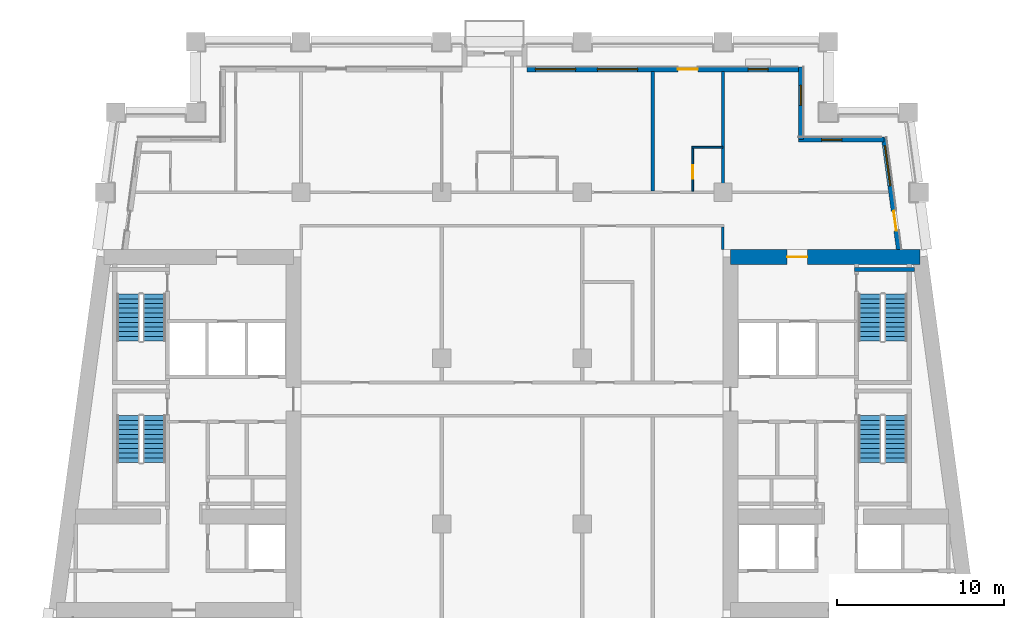
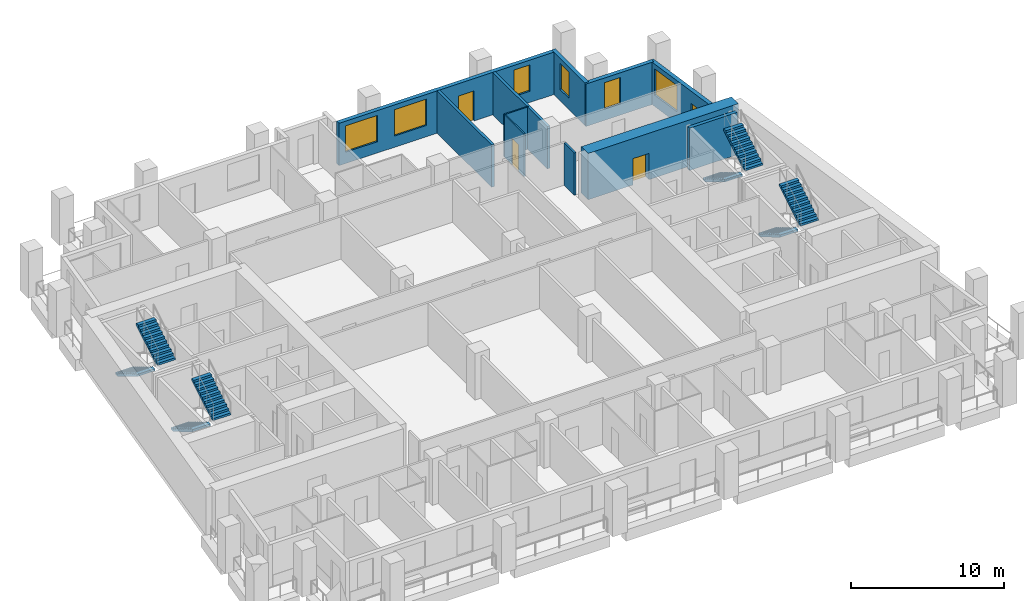
# One storey, part 7 of 12: 11 walls, 8 stair flights, 6 windows, 4 doors, 10 openings, 4 elements without a shape of their own.
"""IFC4 building model written with IfcOpenShell, lengths in metres."""

from ifc_helpers import new_model, si_unit, direction, frame, frame_2d, origin, place, context, subcontext, project, spatial, polyline, rectangle, outline, extrude, material, layer, layer_set, type_object, element, fill, aggregate, save


model = new_model("IFC4")

# Units and contexts
model_context = context("Model", 3, precision=1e-05, world=origin(), true_north=direction((0.0, 1.0)))
body_context = subcontext(model_context, "Body", "Model", "MODEL_VIEW")
ifc_project = project(units=[si_unit("LENGTHUNIT", "METRE"), si_unit("AREAUNIT", "SQUARE_METRE"), si_unit("VOLUMEUNIT", "CUBIC_METRE"), si_unit("PLANEANGLEUNIT", "RADIAN"), si_unit("MASSUNIT", "GRAM", prefix="KILO")], contexts=[model_context])

# Site, building, storey
site_placement = place(None, origin())
site = spatial("IfcSite", under=ifc_project, at=site_placement, CompositionType="ELEMENT")
building_placement = place(site_placement, origin())
building = spatial("IfcBuilding", under=site, at=building_placement, Name="Candeia Pilgrim Tower and Theatre", CompositionType="ELEMENT")
storey_placement = place(building_placement, frame((0.0, 0.0, 147.800048828125)))
storey = spatial("IfcBuildingStorey", under=building, at=storey_placement, Name="L34", CompositionType="ELEMENT", Elevation=147.800048828125)

# Wall, opening, door
ifc_material_1 = material(Name="Concrete C60/75", Category="concrete")
ifc_layer_1 = layer(ifc_material_1, 0.89990234375)
ifc_layer_set_1 = layer_set([ifc_layer_1], Name="Core wall 900 C60/75")
wall_type_1 = type_object("IfcWallType", Name="Core wall 900 C60/75", PredefinedType="SHEAR", material=ifc_layer_set_1)
wall_1_placement = place(storey_placement, frame((126.449951171875, 131.949951171875, 0.0), z_axis=(0.0, 0.0, 1.0), x_axis=(1.0, 0.0, 0.0)))
wall_1 = element("IfcWall", 1, at=wall_1_placement, inside=storey, type_object=wall_type_1, Name="Core wall E1", PredefinedType="SHEAR", context=body_context, shape_type="SweptSolid", body=[
    extrude(rectangle(XDim=11.32568359375, YDim=0.89990234375, at=frame_2d((5.662841796875, 0.0))), origin(), (0.0, 0.0, 1.0), 3.699951171875),
])
opening_1_placement = place(wall_1_placement, frame((3.386474609375, 0.0, 0.0)))
opening_1 = element("IfcOpeningElement", 2, at=opening_1_placement, cuts=wall_1, Name="Opening L34-D059", PredefinedType="OPENING", context=body_context, shape_type="SweptSolid", body=[
    extrude(rectangle(XDim=1.199951171875, YDim=2.10009765625, at=frame_2d((0.60009765625, 1.050048828125))), frame((0.0, 0.4599609375, 0.0), z_axis=(0.0, -1.0, 0.0), x_axis=(1.0, 0.0, 0.0)), (0.0, 0.0, 1.0), 0.919921875),
])
ifc_material_2 = material(Name="Steel fire door set", Category="steel")
door_type_1 = type_object("IfcDoorType", Name="D-1200-FD60", OperationType="NOTDEFINED", PredefinedType="DOOR", material=ifc_material_2)
door_1_placement = place(opening_1_placement, origin())
door_1 = element("IfcDoor", 3, at=door_1_placement, inside=storey, type_object=door_type_1, Name="Door L34-D059", OperationType="SINGLE_SWING_LEFT", OverallHeight=2.10009765625, OverallWidth=1.199951171875, PredefinedType="DOOR", context=body_context, shape_type="SweptSolid", body=[
    extrude(rectangle(XDim=1.199951171875, YDim=2.10009765625, at=frame_2d((0.60009765625, 1.050048828125))), frame((0.0, 0.02490234375, 0.0), z_axis=(0.0, -1.0, 0.0), x_axis=(1.0, 0.0, 0.0)), (0.0, 0.0, 1.0), 0.050048828125),
])
fill(opening_1, door_1)

# Wall, openings, door, window
ifc_material_3 = material(Name="Ceramic block masonry", Category="masonry")
ifc_layer_2 = layer(ifc_material_3, 0.300048828125)
ifc_layer_set_2 = layer_set([ifc_layer_2], Name="EW1 glazing-line wall 300")
wall_type_2 = type_object("IfcWallType", Name="EW1 glazing-line wall 300", PredefinedType="SOLIDWALL", material=ifc_layer_set_2)
wall_2_placement = place(storey_placement, frame((136.50439453125, 132.39990234375, 0.0), z_axis=(0.0, 0.0, 1.0), x_axis=(-0.133399697462, 0.99106231929, 0.0)))
wall_2 = element("IfcWall", 4, at=wall_2_placement, inside=storey, type_object=wall_type_2, Name="External wall L34-3.1", PredefinedType="SOLIDWALL", context=body_context, shape_type="SweptSolid", body=[
    extrude(rectangle(XDim=6.740478515625, YDim=0.300048828125, at=frame_2d((3.3701171875, 0.0))), origin(), (0.0, 0.0, 1.0), 3.3798828125),
])
opening_2_placement = place(wall_2_placement, frame((1.115234375, 0.0, 0.0)))
opening_2 = element("IfcOpeningElement", 5, at=opening_2_placement, cuts=wall_2, Name="Opening L34-ED328", PredefinedType="OPENING", context=body_context, shape_type="SweptSolid", body=[
    extrude(rectangle(XDim=1.199951171875, YDim=2.39990234375, at=frame_2d((0.60009765625, 1.199951171875))), frame((0.0, 0.16015625, 0.0), z_axis=(0.0, -1.0, 0.0), x_axis=(1.0, 0.0, 0.0)), (0.0, 0.0, 1.0), 0.320068359375),
])
opening_3_placement = place(wall_2_placement, frame((3.83544921875, 0.0, 0.89990234375)))
opening_3 = element("IfcOpeningElement", 6, at=opening_3_placement, cuts=wall_2, Name="Opening W-A", PredefinedType="OPENING", context=body_context, shape_type="SweptSolid", body=[
    extrude(rectangle(XDim=2.39990234375, YDim=2.10009765625, at=frame_2d((1.199951171875, 1.050048828125))), frame((0.0, 0.16015625, 0.0), z_axis=(0.0, -1.0, 0.0), x_axis=(1.0, 0.0, 0.0)), (0.0, 0.0, 1.0), 0.320068359375),
])
ifc_material_4 = material(Name="Aluminium framed glazed door", Category="aluminium")
door_type_2 = type_object("IfcDoorType", Name="Loggia door 1200x2400", OperationType="DOUBLE_DOOR_SINGLE_SWING", PredefinedType="DOOR", material=ifc_material_4)
door_2_placement = place(opening_2_placement, origin())
door_2 = element("IfcDoor", 7, at=door_2_placement, inside=storey, type_object=door_type_2, Name="Loggia door L34-ED328", OperationType="DOUBLE_DOOR_SINGLE_SWING", OverallHeight=2.39990234375, OverallWidth=1.199951171875, PredefinedType="DOOR", context=body_context, shape_type="SweptSolid", body=[
    extrude(rectangle(XDim=1.199951171875, YDim=2.39990234375, at=frame_2d((0.60009765625, 1.199951171875))), frame((0.0, 0.02490234375, 0.0), z_axis=(0.0, -1.0, 0.0), x_axis=(1.0, 0.0, 0.0)), (0.0, 0.0, 1.0), 0.050048828125),
])
fill(opening_2, door_2)
ifc_material_5 = material(Name="Aluminium framed double glazing", Category="aluminium")
window_type_1 = type_object("IfcWindowType", Name="W-A window 2400x2100", PartitioningType="DOUBLE_PANEL_VERTICAL", PredefinedType="WINDOW", material=ifc_material_5)
window_1_placement = place(opening_3_placement, origin())
window_1 = element("IfcWindow", 8, at=window_1_placement, inside=storey, type_object=window_type_1, Name="Window W-A L34", OverallHeight=2.10009765625, OverallWidth=2.39990234375, PartitioningType="SINGLE_PANEL", PredefinedType="WINDOW", context=body_context, shape_type="SweptSolid", body=[
    extrude(rectangle(XDim=2.39990234375, YDim=2.10009765625, at=frame_2d((1.199951171875, 1.050048828125))), frame((0.0, 0.030029296875, 0.0), z_axis=(0.0, -1.0, 0.0), x_axis=(1.0, 0.0, 0.0)), (0.0, 0.0, 1.0), 0.06005859375),
])
fill(opening_3, window_1)

# Wall, opening, window
wall_3_placement = place(storey_placement, frame((135.62255859375, 138.949951171875, 0.0), z_axis=(0.0, 0.0, 1.0), x_axis=(-1.0, 0.0, 0.0)))
wall_3 = element("IfcWall", 9, at=wall_3_placement, inside=storey, type_object=wall_type_2, Name="External wall L34-4.0", PredefinedType="SOLIDWALL", context=body_context, shape_type="SweptSolid", body=[
    extrude(rectangle(XDim=5.12255859375, YDim=0.300048828125, at=frame_2d((2.561279296875, 0.0))), origin(), (0.0, 0.0, 1.0), 3.3798828125),
])
opening_4_placement = place(wall_3_placement, frame((2.522705078125, 0.0, 0.89990234375)))
opening_4 = element("IfcOpeningElement", 10, at=opening_4_placement, cuts=wall_3, Name="Opening W-B", PredefinedType="OPENING", context=body_context, shape_type="SweptSolid", body=[
    extrude(rectangle(XDim=1.199951171875, YDim=2.10009765625, at=frame_2d((0.60009765625, 1.050048828125))), frame((0.0, 0.16015625, 0.0), z_axis=(0.0, -1.0, 0.0), x_axis=(1.0, 0.0, 0.0)), (0.0, 0.0, 1.0), 0.320068359375),
])
window_type_2 = type_object("IfcWindowType", Name="W-B window 1200x2100", PartitioningType="SINGLE_PANEL", PredefinedType="WINDOW", material=ifc_material_5)
window_2_placement = place(opening_4_placement, origin())
window_2 = element("IfcWindow", 11, at=window_2_placement, inside=storey, type_object=window_type_2, Name="Window W-B L34", OverallHeight=2.10009765625, OverallWidth=1.199951171875, PartitioningType="SINGLE_PANEL", PredefinedType="WINDOW", context=body_context, shape_type="SweptSolid", body=[
    extrude(rectangle(XDim=1.199951171875, YDim=2.10009765625, at=frame_2d((0.60009765625, 1.050048828125))), frame((0.0, 0.030029296875, 0.0), z_axis=(0.0, -1.0, 0.0), x_axis=(1.0, 0.0, 0.0)), (0.0, 0.0, 1.0), 0.06005859375),
])
fill(opening_4, window_2)

wall_4_placement = place(storey_placement, frame((130.64990234375, 138.949951171875, 0.0), z_axis=(0.0, 0.0, 1.0), x_axis=(0.0, 1.0, 0.0)))
wall_4 = element("IfcWall", 12, at=wall_4_placement, inside=storey, type_object=wall_type_2, Name="External wall L34-5.0", PredefinedType="SOLIDWALL", context=body_context, shape_type="SweptSolid", body=[
    extrude(rectangle(XDim=4.35009765625, YDim=0.300048828125, at=frame_2d((2.175048828125, 0.0))), origin(), (0.0, 0.0, 1.0), 3.3798828125),
])
opening_5_placement = place(wall_4_placement, frame((2.050048828125, 0.0, 0.89990234375)))
opening_5 = element("IfcOpeningElement", 13, at=opening_5_placement, cuts=wall_4, Name="Opening W-B", PredefinedType="OPENING", context=body_context, shape_type="SweptSolid", body=[
    extrude(rectangle(XDim=1.199951171875, YDim=2.10009765625, at=frame_2d((0.60009765625, 1.050048828125))), frame((0.0, 0.16015625, 0.0), z_axis=(0.0, -1.0, 0.0), x_axis=(1.0, 0.0, 0.0)), (0.0, 0.0, 1.0), 0.320068359375),
])
window_3_placement = place(opening_5_placement, origin())
window_3 = element("IfcWindow", 14, at=window_3_placement, inside=storey, type_object=window_type_2, Name="Window W-B L34", OverallHeight=2.10009765625, OverallWidth=1.199951171875, PartitioningType="SINGLE_PANEL", PredefinedType="WINDOW", context=body_context, shape_type="SweptSolid", body=[
    extrude(rectangle(XDim=1.199951171875, YDim=2.10009765625, at=frame_2d((0.60009765625, 1.050048828125))), frame((0.0, 0.030029296875, 0.0), z_axis=(0.0, -1.0, 0.0), x_axis=(1.0, 0.0, 0.0)), (0.0, 0.0, 1.0), 0.06005859375),
])
fill(opening_5, window_3)

# Wall, openings, door, windows
wall_5_placement = place(storey_placement, frame((130.64990234375, 143.14990234375, 0.0), z_axis=(0.0, 0.0, 1.0), x_axis=(-1.0, 0.0, 0.0)))
wall_5 = element("IfcWall", 15, at=wall_5_placement, inside=storey, type_object=wall_type_2, Name="External wall L34-6.0", PredefinedType="SOLIDWALL", context=body_context, shape_type="SweptSolid", body=[
    extrude(rectangle(XDim=16.349853515625, YDim=0.300048828125, at=frame_2d((8.1748046875, 0.0))), origin(), (0.0, 0.0, 1.0), 3.3798828125),
])
opening_6_placement = place(wall_5_placement, frame((1.949951171875, 0.0, 0.89990234375)))
opening_6 = element("IfcOpeningElement", 16, at=opening_6_placement, cuts=wall_5, Name="Opening W-B", PredefinedType="OPENING", context=body_context, shape_type="SweptSolid", body=[
    extrude(rectangle(XDim=1.199951171875, YDim=2.10009765625, at=frame_2d((0.60009765625, 1.050048828125))), frame((0.0, 0.16015625, 0.0), z_axis=(0.0, -1.0, 0.0), x_axis=(1.0, 0.0, 0.0)), (0.0, 0.0, 1.0), 0.320068359375),
])
opening_7_placement = place(wall_5_placement, frame((6.14990234375, 0.0, 0.0)))
opening_7 = element("IfcOpeningElement", 17, at=opening_7_placement, cuts=wall_5, Name="Opening L34-ED329", PredefinedType="OPENING", context=body_context, shape_type="SweptSolid", body=[
    extrude(rectangle(XDim=1.199951171875, YDim=2.39990234375, at=frame_2d((0.60009765625, 1.199951171875))), frame((0.0, 0.16015625, 0.0), z_axis=(0.0, -1.0, 0.0), x_axis=(1.0, 0.0, 0.0)), (0.0, 0.0, 1.0), 0.320068359375),
])
opening_8_placement = place(wall_5_placement, frame((9.75, 0.0, 0.89990234375)))
opening_8 = element("IfcOpeningElement", 18, at=opening_8_placement, cuts=wall_5, Name="Opening W-A", PredefinedType="OPENING", context=body_context, shape_type="SweptSolid", body=[
    extrude(rectangle(XDim=2.39990234375, YDim=2.10009765625, at=frame_2d((1.199951171875, 1.050048828125))), frame((0.0, 0.16015625, 0.0), z_axis=(0.0, -1.0, 0.0), x_axis=(1.0, 0.0, 0.0)), (0.0, 0.0, 1.0), 0.320068359375),
])
opening_9_placement = place(wall_5_placement, frame((13.449951171875, 0.0, 0.89990234375)))
opening_9 = element("IfcOpeningElement", 19, at=opening_9_placement, cuts=wall_5, Name="Opening W-A", PredefinedType="OPENING", context=body_context, shape_type="SweptSolid", body=[
    extrude(rectangle(XDim=2.39990234375, YDim=2.10009765625, at=frame_2d((1.199951171875, 1.050048828125))), frame((0.0, 0.16015625, 0.0), z_axis=(0.0, -1.0, 0.0), x_axis=(1.0, 0.0, 0.0)), (0.0, 0.0, 1.0), 0.320068359375),
])
door_3_placement = place(opening_7_placement, origin())
door_3 = element("IfcDoor", 20, at=door_3_placement, inside=storey, type_object=door_type_2, Name="Loggia door L34-ED329", OperationType="DOUBLE_DOOR_SINGLE_SWING", OverallHeight=2.39990234375, OverallWidth=1.199951171875, PredefinedType="DOOR", context=body_context, shape_type="SweptSolid", body=[
    extrude(rectangle(XDim=1.199951171875, YDim=2.39990234375, at=frame_2d((0.60009765625, 1.199951171875))), frame((0.0, 0.02490234375, 0.0), z_axis=(0.0, -1.0, 0.0), x_axis=(1.0, 0.0, 0.0)), (0.0, 0.0, 1.0), 0.050048828125),
])
fill(opening_7, door_3)
window_4_placement = place(opening_8_placement, origin())
window_4 = element("IfcWindow", 21, at=window_4_placement, inside=storey, type_object=window_type_1, Name="Window W-A L34", OverallHeight=2.10009765625, OverallWidth=2.39990234375, PartitioningType="SINGLE_PANEL", PredefinedType="WINDOW", context=body_context, shape_type="SweptSolid", body=[
    extrude(rectangle(XDim=2.39990234375, YDim=2.10009765625, at=frame_2d((1.199951171875, 1.050048828125))), frame((0.0, 0.030029296875, 0.0), z_axis=(0.0, -1.0, 0.0), x_axis=(1.0, 0.0, 0.0)), (0.0, 0.0, 1.0), 0.06005859375),
])
fill(opening_8, window_4)
window_5_placement = place(opening_9_placement, origin())
window_5 = element("IfcWindow", 22, at=window_5_placement, inside=storey, type_object=window_type_1, Name="Window W-A L34", OverallHeight=2.10009765625, OverallWidth=2.39990234375, PartitioningType="SINGLE_PANEL", PredefinedType="WINDOW", context=body_context, shape_type="SweptSolid", body=[
    extrude(rectangle(XDim=2.39990234375, YDim=2.10009765625, at=frame_2d((1.199951171875, 1.050048828125))), frame((0.0, 0.030029296875, 0.0), z_axis=(0.0, -1.0, 0.0), x_axis=(1.0, 0.0, 0.0)), (0.0, 0.0, 1.0), 0.06005859375),
])
fill(opening_9, window_5)
window_6_placement = place(opening_6_placement, origin())
window_6 = element("IfcWindow", 23, at=window_6_placement, inside=storey, type_object=window_type_2, Name="Window W-B L34", OverallHeight=2.10009765625, OverallWidth=1.199951171875, PartitioningType="SINGLE_PANEL", PredefinedType="WINDOW", context=body_context, shape_type="SweptSolid", body=[
    extrude(rectangle(XDim=1.199951171875, YDim=2.10009765625, at=frame_2d((0.60009765625, 1.050048828125))), frame((0.0, 0.030029296875, 0.0), z_axis=(0.0, -1.0, 0.0), x_axis=(1.0, 0.0, 0.0)), (0.0, 0.0, 1.0), 0.06005859375),
])
fill(opening_6, window_6)

# Wall
ifc_material_6 = material(Name="Gypsum board partition on steel studs", Category="steel")
ifc_layer_3 = layer(ifc_material_6, 0.10009765625)
ifc_layer_set_3 = layer_set([ifc_layer_3], Name="PW-100 room partition")
wall_type_3 = type_object("IfcWallType", Name="PW-100 room partition", PredefinedType="PARTITIONING", material=ifc_layer_set_3)
wall_6_placement = place(storey_placement, frame((124.14990234375, 138.5, 0.0), z_axis=(0.0, 0.0, 1.0), x_axis=(1.0, 0.0, 0.0)))
element("IfcWall", 24, at=wall_6_placement, inside=storey, type_object=wall_type_3, Name="Room partition L34-046", PredefinedType="PARTITIONING", context=body_context, shape_type="SweptSolid", body=[
    extrude(rectangle(XDim=1.85009765625, YDim=0.10009765625, at=frame_2d((0.925048828125, 0.0))), origin(), (0.0, 0.0, 1.0), 3.3798828125),
])

# Wall, opening, door
wall_7_placement = place(storey_placement, frame((124.199951171875, 135.875, 0.0), z_axis=(0.0, 0.0, 1.0), x_axis=(0.0, 1.0, 0.0)))
wall_7 = element("IfcWall", 25, at=wall_7_placement, inside=storey, type_object=wall_type_3, Name="Room partition L34-095", PredefinedType="PARTITIONING", context=body_context, shape_type="SweptSolid", body=[
    extrude(rectangle(XDim=2.574951171875, YDim=0.10009765625, at=frame_2d((1.28759765625, 0.0))), origin(), (0.0, 0.0, 1.0), 3.3798828125),
])
opening_10_placement = place(wall_7_placement, frame((0.7548828125, 0.0, 0.0)))
opening_10 = element("IfcOpeningElement", 26, at=opening_10_placement, cuts=wall_7, Name="Opening L34-D044", PredefinedType="OPENING", context=body_context, shape_type="SweptSolid", body=[
    extrude(rectangle(XDim=0.800048828125, YDim=2.10009765625, at=frame_2d((0.39990234375, 1.050048828125))), frame((0.0, 0.06005859375, 0.0), z_axis=(0.0, -1.0, 0.0), x_axis=(1.0, 0.0, 0.0)), (0.0, 0.0, 1.0), 0.1201171875),
])
ifc_material_7 = material(Name="Timber door leaf", Category="wood")
door_type_3 = type_object("IfcDoorType", Name="D-800", OperationType="NOTDEFINED", PredefinedType="DOOR", material=ifc_material_7)
door_4_placement = place(opening_10_placement, origin())
door_4 = element("IfcDoor", 27, at=door_4_placement, inside=storey, type_object=door_type_3, Name="Door L34-D044", OperationType="SINGLE_SWING_RIGHT", OverallHeight=2.10009765625, OverallWidth=0.800048828125, PredefinedType="DOOR", context=body_context, shape_type="SweptSolid", body=[
    extrude(rectangle(XDim=0.800048828125, YDim=2.10009765625, at=frame_2d((0.39990234375, 1.050048828125))), frame((0.0, 0.02490234375, 0.0), z_axis=(0.0, -1.0, 0.0), x_axis=(1.0, 0.0, 0.0)), (0.0, 0.0, 1.0), 0.050048828125),
])
fill(opening_10, door_4)

# Walls
ifc_layer_4 = layer(ifc_material_6, 0.14990234375)
ifc_layer_set_4 = layer_set([ifc_layer_4], Name="PW-150 unit wall")
wall_type_4 = type_object("IfcWallType", Name="PW-150 unit wall", PredefinedType="PARTITIONING", material=ifc_layer_set_4)
wall_8_placement = place(storey_placement, frame((126.0, 132.39990234375, 0.0), z_axis=(0.0, 0.0, 1.0), x_axis=(0.0, 1.0, 0.0)))
element("IfcWall", 28, at=wall_8_placement, inside=storey, type_object=wall_type_4, Name="Unit wall L34-098", PredefinedType="PARTITIONING", context=body_context, shape_type="SweptSolid", body=[
    extrude(rectangle(XDim=1.3251953125, YDim=0.14990234375, at=frame_2d((0.66259765625, 0.0))), origin(), (0.0, 0.0, 1.0), 3.3798828125),
])
ifc_layer_5 = layer(ifc_material_6, 0.199951171875)
ifc_layer_set_5 = layer_set([ifc_layer_5], Name="PW-200 party wall")
wall_type_5 = type_object("IfcWallType", Name="PW-200 party wall", PredefinedType="PARTITIONING", material=ifc_layer_set_5)
for number, where, z_axis, x_axis, name in (
    (29, (121.800048828125, 135.875, 0.0), (0.0, 0.0, 1.0), (0.0, 1.0, 0.0), "Party wall L34-094"),
    (30, (126.0, 135.875, 0.0), (0.0, 0.0, 1.0), (0.0, 1.0, 0.0), "Party wall L34-096"),
):
    element("IfcWall", number, at=place(storey_placement, frame(where, z_axis=z_axis, x_axis=x_axis)), inside=storey, type_object=wall_type_5, Name=name, PredefinedType="PARTITIONING", context=body_context, shape_type="SweptSolid", body=[
        extrude(rectangle(XDim=7.135009765625, YDim=0.199951171875, at=frame_2d((3.5673828125, 0.0))), origin(), (0.0, 0.0, 1.0), 3.3798828125),
    ])
ifc_material_8 = material(Name="Concrete C40/50", Category="concrete")
ifc_layer_6 = layer(ifc_material_8, 0.25)
ifc_layer_set_6 = layer_set([ifc_layer_6], Name="SW-250 stair wall")
wall_type_6 = type_object("IfcWallType", Name="SW-250 stair wall", PredefinedType="PARTITIONING", material=ifc_layer_set_6)
wall_9_placement = place(storey_placement, frame((133.847900390625, 131.199951171875, 0.0), z_axis=(0.0, 0.0, 1.0), x_axis=(1.0, 0.0, 0.0)))
element("IfcWall", 31, at=wall_9_placement, inside=storey, type_object=wall_type_6, Name="Stair wall L34-040", PredefinedType="PARTITIONING", context=body_context, shape_type="SweptSolid", body=[
    extrude(rectangle(XDim=3.604736328125, YDim=0.25, at=frame_2d((1.80224609375, 0.0))), origin(), (0.0, 0.0, 1.0), 3.3798828125),
])

# Stair, stair flights
stair_type = type_object("IfcStairType", Name="ST-TWR dog-leg escape stair", PredefinedType="HALF_TURN_STAIR", material=ifc_material_8)
stair_1_placement = place(storey_placement, origin())
stair_1 = element("IfcStair", 32, at=stair_1_placement, inside=storey, type_object=stair_type, Name="L34 Escape stair ST1", PredefinedType="HALF_TURN_STAIR")
stair_flight_type = type_object("IfcStairFlightType", Name="SFL-RC stair flight", PredefinedType="STRAIGHT", material=ifc_material_8)
stair_flight_1_placement = place(storey_placement, frame((90.47705078125, 122.47509765625, 0.0), z_axis=(0.0, 0.0, 1.0), x_axis=(0.0, -1.0, 0.0)))
stair_flight_1 = element("IfcStairFlight", 33, at=stair_flight_1_placement, type_object=stair_flight_type, Name="ST1 flight 1", NumberOfRisers=11, NumberOfTreads=10, PredefinedType="STRAIGHT", RiserHeight=0.168181818, TreadLength=0.28, context=body_context, shape_type="SweptSolid", body=[
    extrude(outline(polyline([(0.0, 0.0), (0.0, 0.168212890625), (0.280029296875, 0.168212890625), (0.280029296875, 0.33642578125), (0.56005859375, 0.33642578125), (0.56005859375, 0.504638671875), (0.840087890625, 0.504638671875), (0.840087890625, 0.672607421875), (1.1201171875, 0.672607421875), (1.1201171875, 0.8408203125), (1.39990234375, 0.8408203125), (1.39990234375, 1.009033203125), (1.679931640625, 1.009033203125), (1.679931640625, 1.17724609375), (1.9599609375, 1.17724609375), (1.9599609375, 1.345458984375), (2.239990234375, 1.345458984375), (2.239990234375, 1.513671875), (2.52001953125, 1.513671875), (2.52001953125, 1.681884765625), (2.800048828125, 1.681884765625), (2.800048828125, 1.85009765625), (2.800048828125, 1.5068359375), (0.291015625, 0.0), (0.0, 0.0)])), frame((0.0, 0.675048828125, 0.0), z_axis=(0.0, -1.0, 0.0), x_axis=(1.0, 0.0, 0.0)), (0.0, 0.0, 1.0), 1.35009765625),
])
stair_flight_2_placement = place(storey_placement, frame((92.027099609375, 119.675048828125, 1.849853515625), z_axis=(0.0, 0.0, 1.0), x_axis=(0.0, 1.0, 0.0)))
stair_flight_2 = element("IfcStairFlight", 34, at=stair_flight_2_placement, type_object=stair_flight_type, Name="ST1 flight 2", NumberOfRisers=11, NumberOfTreads=10, PredefinedType="STRAIGHT", RiserHeight=0.168181818, TreadLength=0.28, context=body_context, shape_type="SweptSolid", body=[
    extrude(outline(polyline([(0.0, 0.0), (0.0, 0.168212890625), (0.280029296875, 0.168212890625), (0.280029296875, 0.33642578125), (0.56005859375, 0.33642578125), (0.56005859375, 0.504638671875), (0.840087890625, 0.504638671875), (0.840087890625, 0.672607421875), (1.1201171875, 0.672607421875), (1.1201171875, 0.8408203125), (1.39990234375, 0.8408203125), (1.39990234375, 1.009033203125), (1.679931640625, 1.009033203125), (1.679931640625, 1.17724609375), (1.9599609375, 1.17724609375), (1.9599609375, 1.345458984375), (2.239990234375, 1.345458984375), (2.239990234375, 1.513671875), (2.52001953125, 1.513671875), (2.52001953125, 1.681884765625), (2.800048828125, 1.681884765625), (2.800048828125, 1.85009765625), (2.800048828125, 1.5068359375), (0.291015625, 0.0), (0.0, 0.0)])), frame((0.0, 0.675048828125, 0.0), z_axis=(0.0, -1.0, 0.0), x_axis=(1.0, 0.0, 0.0)), (0.0, 0.0, 1.0), 1.35009765625),
])
aggregate(stair_1, [stair_flight_1, stair_flight_2])

stair_2_placement = place(storey_placement, origin())
stair_2 = element("IfcStair", 35, at=stair_2_placement, inside=storey, type_object=stair_type, Name="L34 Escape stair ST2", PredefinedType="HALF_TURN_STAIR")
stair_flight_3_placement = place(storey_placement, frame((90.47705078125, 129.72509765625, 0.0), z_axis=(0.0, 0.0, 1.0), x_axis=(0.0, -1.0, 0.0)))
stair_flight_3 = element("IfcStairFlight", 36, at=stair_flight_3_placement, type_object=stair_flight_type, Name="ST2 flight 1", NumberOfRisers=11, NumberOfTreads=10, PredefinedType="STRAIGHT", RiserHeight=0.168181818, TreadLength=0.28, context=body_context, shape_type="SweptSolid", body=[
    extrude(outline(polyline([(0.0, 0.0), (0.0, 0.168212890625), (0.280029296875, 0.168212890625), (0.280029296875, 0.33642578125), (0.56005859375, 0.33642578125), (0.56005859375, 0.504638671875), (0.840087890625, 0.504638671875), (0.840087890625, 0.672607421875), (1.1201171875, 0.672607421875), (1.1201171875, 0.8408203125), (1.39990234375, 0.8408203125), (1.39990234375, 1.009033203125), (1.679931640625, 1.009033203125), (1.679931640625, 1.17724609375), (1.9599609375, 1.17724609375), (1.9599609375, 1.345458984375), (2.239990234375, 1.345458984375), (2.239990234375, 1.513671875), (2.52001953125, 1.513671875), (2.52001953125, 1.681884765625), (2.800048828125, 1.681884765625), (2.800048828125, 1.85009765625), (2.800048828125, 1.5068359375), (0.291015625, 0.0), (0.0, 0.0)])), frame((0.0, 0.675048828125, 0.0), z_axis=(0.0, -1.0, 0.0), x_axis=(1.0, 0.0, 0.0)), (0.0, 0.0, 1.0), 1.35009765625),
])
stair_flight_4_placement = place(storey_placement, frame((92.027099609375, 126.925048828125, 1.849853515625), z_axis=(0.0, 0.0, 1.0), x_axis=(0.0, 1.0, 0.0)))
stair_flight_4 = element("IfcStairFlight", 37, at=stair_flight_4_placement, type_object=stair_flight_type, Name="ST2 flight 2", NumberOfRisers=11, NumberOfTreads=10, PredefinedType="STRAIGHT", RiserHeight=0.168181818, TreadLength=0.28, context=body_context, shape_type="SweptSolid", body=[
    extrude(outline(polyline([(0.0, 0.0), (0.0, 0.168212890625), (0.280029296875, 0.168212890625), (0.280029296875, 0.33642578125), (0.56005859375, 0.33642578125), (0.56005859375, 0.504638671875), (0.840087890625, 0.504638671875), (0.840087890625, 0.672607421875), (1.1201171875, 0.672607421875), (1.1201171875, 0.8408203125), (1.39990234375, 0.8408203125), (1.39990234375, 1.009033203125), (1.679931640625, 1.009033203125), (1.679931640625, 1.17724609375), (1.9599609375, 1.17724609375), (1.9599609375, 1.345458984375), (2.239990234375, 1.345458984375), (2.239990234375, 1.513671875), (2.52001953125, 1.513671875), (2.52001953125, 1.681884765625), (2.800048828125, 1.681884765625), (2.800048828125, 1.85009765625), (2.800048828125, 1.5068359375), (0.291015625, 0.0), (0.0, 0.0)])), frame((0.0, 0.675048828125, 0.0), z_axis=(0.0, -1.0, 0.0), x_axis=(1.0, 0.0, 0.0)), (0.0, 0.0, 1.0), 1.35009765625),
])
aggregate(stair_2, [stair_flight_3, stair_flight_4])

stair_3_placement = place(storey_placement, origin())
stair_3 = element("IfcStair", 38, at=stair_3_placement, inside=storey, type_object=stair_type, Name="L34 Escape stair ST3", PredefinedType="HALF_TURN_STAIR")
stair_flight_5_placement = place(storey_placement, frame((134.77294921875, 122.47509765625, 0.0), z_axis=(0.0, 0.0, 1.0), x_axis=(0.0, -1.0, 0.0)))
stair_flight_5 = element("IfcStairFlight", 39, at=stair_flight_5_placement, type_object=stair_flight_type, Name="ST3 flight 1", NumberOfRisers=11, NumberOfTreads=10, PredefinedType="STRAIGHT", RiserHeight=0.168181818, TreadLength=0.28, context=body_context, shape_type="SweptSolid", body=[
    extrude(outline(polyline([(0.0, 0.0), (0.0, 0.168212890625), (0.280029296875, 0.168212890625), (0.280029296875, 0.33642578125), (0.56005859375, 0.33642578125), (0.56005859375, 0.504638671875), (0.840087890625, 0.504638671875), (0.840087890625, 0.672607421875), (1.1201171875, 0.672607421875), (1.1201171875, 0.8408203125), (1.39990234375, 0.8408203125), (1.39990234375, 1.009033203125), (1.679931640625, 1.009033203125), (1.679931640625, 1.17724609375), (1.9599609375, 1.17724609375), (1.9599609375, 1.345458984375), (2.239990234375, 1.345458984375), (2.239990234375, 1.513671875), (2.52001953125, 1.513671875), (2.52001953125, 1.681884765625), (2.800048828125, 1.681884765625), (2.800048828125, 1.85009765625), (2.800048828125, 1.5068359375), (0.291015625, 0.0), (0.0, 0.0)])), frame((0.0, 0.675048828125, 0.0), z_axis=(0.0, -1.0, 0.0), x_axis=(1.0, 0.0, 0.0)), (0.0, 0.0, 1.0), 1.35009765625),
])
stair_flight_6_placement = place(storey_placement, frame((136.322998046875, 119.675048828125, 1.849853515625), z_axis=(0.0, 0.0, 1.0), x_axis=(0.0, 1.0, 0.0)))
stair_flight_6 = element("IfcStairFlight", 40, at=stair_flight_6_placement, type_object=stair_flight_type, Name="ST3 flight 2", NumberOfRisers=11, NumberOfTreads=10, PredefinedType="STRAIGHT", RiserHeight=0.168181818, TreadLength=0.28, context=body_context, shape_type="SweptSolid", body=[
    extrude(outline(polyline([(0.0, 0.0), (0.0, 0.168212890625), (0.280029296875, 0.168212890625), (0.280029296875, 0.33642578125), (0.56005859375, 0.33642578125), (0.56005859375, 0.504638671875), (0.840087890625, 0.504638671875), (0.840087890625, 0.672607421875), (1.1201171875, 0.672607421875), (1.1201171875, 0.8408203125), (1.39990234375, 0.8408203125), (1.39990234375, 1.009033203125), (1.679931640625, 1.009033203125), (1.679931640625, 1.17724609375), (1.9599609375, 1.17724609375), (1.9599609375, 1.345458984375), (2.239990234375, 1.345458984375), (2.239990234375, 1.513671875), (2.52001953125, 1.513671875), (2.52001953125, 1.681884765625), (2.800048828125, 1.681884765625), (2.800048828125, 1.85009765625), (2.800048828125, 1.5068359375), (0.291015625, 0.0), (0.0, 0.0)])), frame((0.0, 0.675048828125, 0.0), z_axis=(0.0, -1.0, 0.0), x_axis=(1.0, 0.0, 0.0)), (0.0, 0.0, 1.0), 1.35009765625),
])
aggregate(stair_3, [stair_flight_5, stair_flight_6])

stair_4_placement = place(storey_placement, origin())
stair_4 = element("IfcStair", 41, at=stair_4_placement, inside=storey, type_object=stair_type, Name="L34 Escape stair ST4", PredefinedType="HALF_TURN_STAIR")
stair_flight_7_placement = place(storey_placement, frame((134.77294921875, 129.72509765625, 0.0), z_axis=(0.0, 0.0, 1.0), x_axis=(0.0, -1.0, 0.0)))
stair_flight_7 = element("IfcStairFlight", 42, at=stair_flight_7_placement, type_object=stair_flight_type, Name="ST4 flight 1", NumberOfRisers=11, NumberOfTreads=10, PredefinedType="STRAIGHT", RiserHeight=0.168181818, TreadLength=0.28, context=body_context, shape_type="SweptSolid", body=[
    extrude(outline(polyline([(0.0, 0.0), (0.0, 0.168212890625), (0.280029296875, 0.168212890625), (0.280029296875, 0.33642578125), (0.56005859375, 0.33642578125), (0.56005859375, 0.504638671875), (0.840087890625, 0.504638671875), (0.840087890625, 0.672607421875), (1.1201171875, 0.672607421875), (1.1201171875, 0.8408203125), (1.39990234375, 0.8408203125), (1.39990234375, 1.009033203125), (1.679931640625, 1.009033203125), (1.679931640625, 1.17724609375), (1.9599609375, 1.17724609375), (1.9599609375, 1.345458984375), (2.239990234375, 1.345458984375), (2.239990234375, 1.513671875), (2.52001953125, 1.513671875), (2.52001953125, 1.681884765625), (2.800048828125, 1.681884765625), (2.800048828125, 1.85009765625), (2.800048828125, 1.5068359375), (0.291015625, 0.0), (0.0, 0.0)])), frame((0.0, 0.675048828125, 0.0), z_axis=(0.0, -1.0, 0.0), x_axis=(1.0, 0.0, 0.0)), (0.0, 0.0, 1.0), 1.35009765625),
])
stair_flight_8_placement = place(storey_placement, frame((136.322998046875, 126.925048828125, 1.849853515625), z_axis=(0.0, 0.0, 1.0), x_axis=(0.0, 1.0, 0.0)))
stair_flight_8 = element("IfcStairFlight", 43, at=stair_flight_8_placement, type_object=stair_flight_type, Name="ST4 flight 2", NumberOfRisers=11, NumberOfTreads=10, PredefinedType="STRAIGHT", RiserHeight=0.168181818, TreadLength=0.28, context=body_context, shape_type="SweptSolid", body=[
    extrude(outline(polyline([(0.0, 0.0), (0.0, 0.168212890625), (0.280029296875, 0.168212890625), (0.280029296875, 0.33642578125), (0.56005859375, 0.33642578125), (0.56005859375, 0.504638671875), (0.840087890625, 0.504638671875), (0.840087890625, 0.672607421875), (1.1201171875, 0.672607421875), (1.1201171875, 0.8408203125), (1.39990234375, 0.8408203125), (1.39990234375, 1.009033203125), (1.679931640625, 1.009033203125), (1.679931640625, 1.17724609375), (1.9599609375, 1.17724609375), (1.9599609375, 1.345458984375), (2.239990234375, 1.345458984375), (2.239990234375, 1.513671875), (2.52001953125, 1.513671875), (2.52001953125, 1.681884765625), (2.800048828125, 1.681884765625), (2.800048828125, 1.85009765625), (2.800048828125, 1.5068359375), (0.291015625, 0.0), (0.0, 0.0)])), frame((0.0, 0.675048828125, 0.0), z_axis=(0.0, -1.0, 0.0), x_axis=(1.0, 0.0, 0.0)), (0.0, 0.0, 1.0), 1.35009765625),
])
aggregate(stair_4, [stair_flight_7, stair_flight_8])

save(model, "model.ifc")
